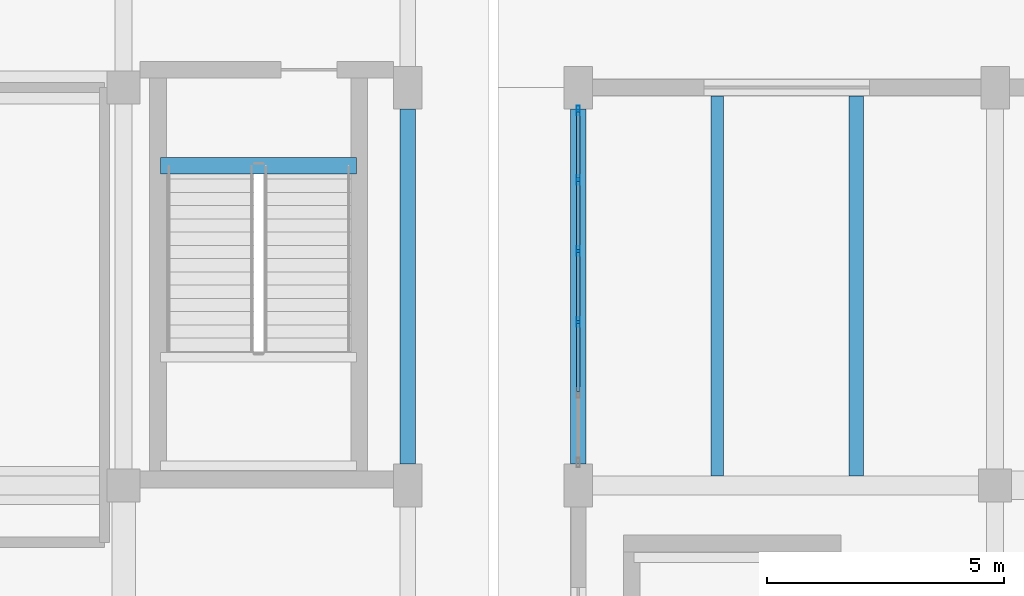
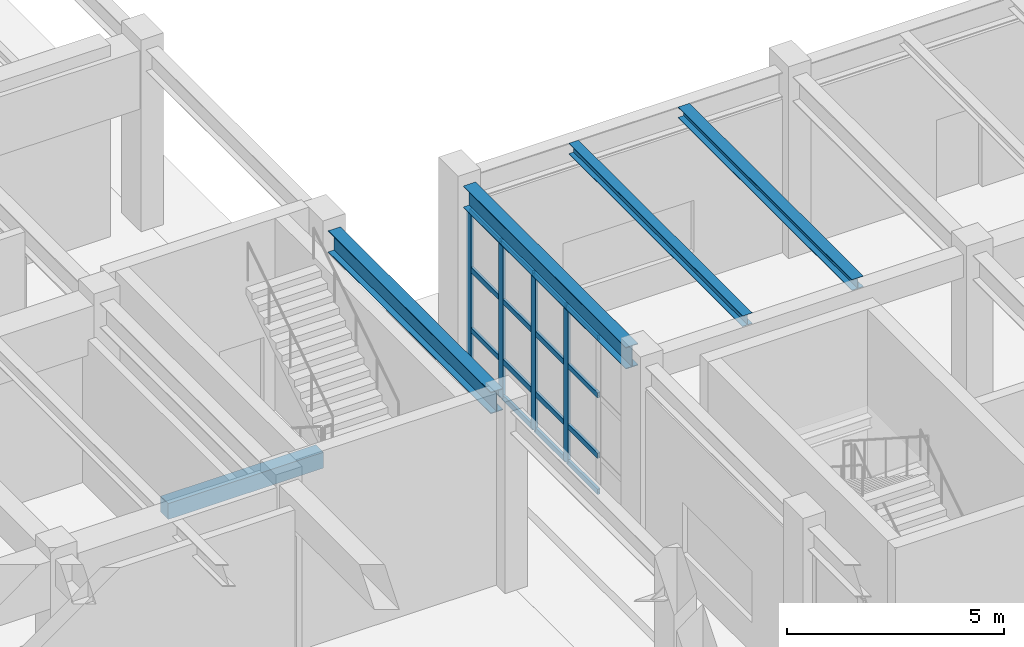
# One storey, part 48 of 91: 20 members, 5 beams, 1 element without a shape of its own.
"""IFC4 building model written with IfcOpenShell, lengths in metres."""

from ifc_helpers import new_model, si_unit, direction, frame, origin, origin_2d, place, context, subcontext, project, spatial, rectangle, hollow_rectangle, i_section, extrude, material, layer, layer_set, material_profile, profile_set, type_object, element, aggregate, save


model = new_model("IFC4")

# Units and contexts
model_context = context("Model", 3, precision=1e-05, world=origin(), true_north=direction((0.0, 1.0)))
body_context = subcontext(model_context, "Body", "Model", "MODEL_VIEW")
ifc_project = project(units=[si_unit("LENGTHUNIT", "METRE"), si_unit("AREAUNIT", "SQUARE_METRE"), si_unit("VOLUMEUNIT", "CUBIC_METRE"), si_unit("PLANEANGLEUNIT", "RADIAN"), si_unit("MASSUNIT", "GRAM", prefix="KILO")], contexts=[model_context])

# Site, building, storey
site_placement = place(None, origin())
site = spatial("IfcSite", under=ifc_project, at=site_placement, CompositionType="ELEMENT")
building_placement = place(site_placement, origin())
building = spatial("IfcBuilding", under=site, at=building_placement, Name="Vaelkrest Opera House", CompositionType="ELEMENT")
storey_placement = place(building_placement, origin())
storey = spatial("IfcBuildingStorey", under=building, at=storey_placement, Name="L00", CompositionType="ELEMENT", Elevation=0.0)

# Curtain wall, members
ifc_material_1 = material(Name="Dark bronze anodized aluminium", Category="aluminium")
ifc_layer = layer(ifc_material_1, 0.18994140625)
ifc_layer_set = layer_set([ifc_layer], Name="Dark bronze anodized aluminium")
curtain_wall_type = type_object("IfcCurtainWallType", Name="CW02", PredefinedType="NOTDEFINED", material=ifc_layer_set)
curtain_wall_placement = place(storey_placement, origin())
curtain_wall = element("IfcCurtainWall", 1, at=curtain_wall_placement, inside=storey, type_object=curtain_wall_type, Name="Curtain wall CW-L00-151", PredefinedType="NOTDEFINED")
ifc_material_profile_1 = material_profile(ifc_material_1, hollow_rectangle(XDim=0.070068359375, YDim=0.199951171875, WallThickness=0.004150390625, at=origin_2d()), Name="CWM70X200")
ifc_profile_set_1 = profile_set([ifc_material_profile_1], Name="Dark bronze anodized aluminium")
member_type_1 = type_object("IfcMemberType", Name="CWM02", PredefinedType="MULLION", material=ifc_profile_set_1)
member_1_placement = place(storey_placement, frame((33.60009765625, 28.649658203125, 0.0), z_axis=(0.0, 0.0, 1.0), x_axis=(-1.0, 0.0, 0.0)))
member_1 = element("IfcMember", 2, at=member_1_placement, type_object=member_type_1, Name="CW02 mullion 3", PredefinedType="MULLION", context=body_context, shape_type="SweptSolid", body=[
    extrude(hollow_rectangle(XDim=0.070068359375, YDim=0.199951171875, WallThickness=0.004150390625, at=origin_2d()), origin(), (0.0, 0.0, 1.0), 4.404052734375),
])
member_2_placement = place(storey_placement, frame((33.60009765625, 30.150390625, 0.0), z_axis=(0.0, 0.0, 1.0), x_axis=(-1.0, 0.0, 0.0)))
member_2 = element("IfcMember", 3, at=member_2_placement, type_object=member_type_1, Name="CW02 mullion 4", PredefinedType="MULLION", context=body_context, shape_type="SweptSolid", body=[
    extrude(hollow_rectangle(XDim=0.070068359375, YDim=0.199951171875, WallThickness=0.004150390625, at=origin_2d()), origin(), (0.0, 0.0, 1.0), 4.404052734375),
])
member_3_placement = place(storey_placement, frame((33.60009765625, 31.651123046875, 0.0), z_axis=(0.0, 0.0, 1.0), x_axis=(-1.0, 0.0, 0.0)))
member_3 = element("IfcMember", 4, at=member_3_placement, type_object=member_type_1, Name="CW02 mullion 5", PredefinedType="MULLION", context=body_context, shape_type="SweptSolid", body=[
    extrude(hollow_rectangle(XDim=0.070068359375, YDim=0.199951171875, WallThickness=0.004150390625, at=origin_2d()), origin(), (0.0, 0.0, 1.0), 4.404052734375),
])
member_4_placement = place(storey_placement, frame((33.60009765625, 33.116943359375, 0.0), z_axis=(0.0, 0.0, 1.0), x_axis=(-1.0, 0.0, 0.0)))
member_4 = element("IfcMember", 5, at=member_4_placement, type_object=member_type_1, Name="CW02 mullion 6", PredefinedType="MULLION", context=body_context, shape_type="SweptSolid", body=[
    extrude(hollow_rectangle(XDim=0.070068359375, YDim=0.199951171875, WallThickness=0.004150390625, at=origin_2d()), origin(), (0.0, 0.0, 1.0), 4.404052734375),
])
ifc_material_profile_2 = material_profile(ifc_material_1, hollow_rectangle(XDim=0.070068359375, YDim=0.14990234375, WallThickness=0.004150390625, at=origin_2d()), Name="CWT70X150")
ifc_profile_set_2 = profile_set([ifc_material_profile_2], Name="Dark bronze anodized aluminium")
member_type_2 = type_object("IfcMemberType", Name="CWT02", PredefinedType="USERDEFINED", material=ifc_profile_set_2)
member_5_placement = place(storey_placement, frame((33.60009765625, 27.183837890625, 0.034912109375), z_axis=(0.0, 1.0, 0.0), x_axis=(-1.0, 0.0, 0.0)))
member_5 = element("IfcMember", 6, at=member_5_placement, type_object=member_type_2, Name="CW02 transom 2.1", ObjectType="TRANSOM", PredefinedType="USERDEFINED", context=body_context, shape_type="SweptSolid", body=[
    extrude(hollow_rectangle(XDim=0.070068359375, YDim=0.14990234375, WallThickness=0.004150390625, at=origin_2d()), origin(), (0.0, 0.0, 1.0), 1.4306640625),
])
member_6_placement = place(storey_placement, frame((33.60009765625, 27.183837890625, 1.050048828125), z_axis=(0.0, 1.0, 0.0), x_axis=(-1.0, 0.0, 0.0)))
member_6 = element("IfcMember", 7, at=member_6_placement, type_object=member_type_2, Name="CW02 transom 2.2", ObjectType="TRANSOM", PredefinedType="USERDEFINED", context=body_context, shape_type="SweptSolid", body=[
    extrude(hollow_rectangle(XDim=0.070068359375, YDim=0.14990234375, WallThickness=0.004150390625, at=origin_2d()), origin(), (0.0, 0.0, 1.0), 1.4306640625),
])
member_7_placement = place(storey_placement, frame((33.60009765625, 27.183837890625, 2.75), z_axis=(0.0, 1.0, 0.0), x_axis=(-1.0, 0.0, 0.0)))
member_7 = element("IfcMember", 8, at=member_7_placement, type_object=member_type_2, Name="CW02 transom 2.3", ObjectType="TRANSOM", PredefinedType="USERDEFINED", context=body_context, shape_type="SweptSolid", body=[
    extrude(hollow_rectangle(XDim=0.070068359375, YDim=0.14990234375, WallThickness=0.004150390625, at=origin_2d()), origin(), (0.0, 0.0, 1.0), 1.4306640625),
])
member_8_placement = place(storey_placement, frame((33.60009765625, 27.183837890625, 4.368896484375), z_axis=(0.0, 1.0, 0.0), x_axis=(-1.0, 0.0, 0.0)))
member_8 = element("IfcMember", 9, at=member_8_placement, type_object=member_type_2, Name="CW02 transom 2.4", ObjectType="TRANSOM", PredefinedType="USERDEFINED", context=body_context, shape_type="SweptSolid", body=[
    extrude(hollow_rectangle(XDim=0.070068359375, YDim=0.14990234375, WallThickness=0.004150390625, at=origin_2d()), origin(), (0.0, 0.0, 1.0), 1.4306640625),
])
member_9_placement = place(storey_placement, frame((33.60009765625, 28.6845703125, 0.034912109375), z_axis=(0.0, 1.0, 0.0), x_axis=(-1.0, 0.0, 0.0)))
member_9 = element("IfcMember", 10, at=member_9_placement, type_object=member_type_2, Name="CW02 transom 3.1", ObjectType="TRANSOM", PredefinedType="USERDEFINED", context=body_context, shape_type="SweptSolid", body=[
    extrude(hollow_rectangle(XDim=0.070068359375, YDim=0.14990234375, WallThickness=0.004150390625, at=origin_2d()), origin(), (0.0, 0.0, 1.0), 1.430908203125),
])
member_10_placement = place(storey_placement, frame((33.60009765625, 28.6845703125, 1.050048828125), z_axis=(0.0, 1.0, 0.0), x_axis=(-1.0, 0.0, 0.0)))
member_10 = element("IfcMember", 11, at=member_10_placement, type_object=member_type_2, Name="CW02 transom 3.2", ObjectType="TRANSOM", PredefinedType="USERDEFINED", context=body_context, shape_type="SweptSolid", body=[
    extrude(hollow_rectangle(XDim=0.070068359375, YDim=0.14990234375, WallThickness=0.004150390625, at=origin_2d()), origin(), (0.0, 0.0, 1.0), 1.430908203125),
])
member_11_placement = place(storey_placement, frame((33.60009765625, 28.6845703125, 2.75), z_axis=(0.0, 1.0, 0.0), x_axis=(-1.0, 0.0, 0.0)))
member_11 = element("IfcMember", 12, at=member_11_placement, type_object=member_type_2, Name="CW02 transom 3.3", ObjectType="TRANSOM", PredefinedType="USERDEFINED", context=body_context, shape_type="SweptSolid", body=[
    extrude(hollow_rectangle(XDim=0.070068359375, YDim=0.14990234375, WallThickness=0.004150390625, at=origin_2d()), origin(), (0.0, 0.0, 1.0), 1.430908203125),
])
member_12_placement = place(storey_placement, frame((33.60009765625, 28.6845703125, 4.368896484375), z_axis=(0.0, 1.0, 0.0), x_axis=(-1.0, 0.0, 0.0)))
member_12 = element("IfcMember", 13, at=member_12_placement, type_object=member_type_2, Name="CW02 transom 3.4", ObjectType="TRANSOM", PredefinedType="USERDEFINED", context=body_context, shape_type="SweptSolid", body=[
    extrude(hollow_rectangle(XDim=0.070068359375, YDim=0.14990234375, WallThickness=0.004150390625, at=origin_2d()), origin(), (0.0, 0.0, 1.0), 1.430908203125),
])
member_13_placement = place(storey_placement, frame((33.60009765625, 30.185302734375, 0.034912109375), z_axis=(0.0, 1.0, 0.0), x_axis=(-1.0, 0.0, 0.0)))
member_13 = element("IfcMember", 14, at=member_13_placement, type_object=member_type_2, Name="CW02 transom 4.1", ObjectType="TRANSOM", PredefinedType="USERDEFINED", context=body_context, shape_type="SweptSolid", body=[
    extrude(hollow_rectangle(XDim=0.070068359375, YDim=0.14990234375, WallThickness=0.004150390625, at=origin_2d()), origin(), (0.0, 0.0, 1.0), 1.430908203125),
])
member_14_placement = place(storey_placement, frame((33.60009765625, 30.185302734375, 1.050048828125), z_axis=(0.0, 1.0, 0.0), x_axis=(-1.0, 0.0, 0.0)))
member_14 = element("IfcMember", 15, at=member_14_placement, type_object=member_type_2, Name="CW02 transom 4.2", ObjectType="TRANSOM", PredefinedType="USERDEFINED", context=body_context, shape_type="SweptSolid", body=[
    extrude(hollow_rectangle(XDim=0.070068359375, YDim=0.14990234375, WallThickness=0.004150390625, at=origin_2d()), origin(), (0.0, 0.0, 1.0), 1.430908203125),
])
member_15_placement = place(storey_placement, frame((33.60009765625, 30.185302734375, 2.75), z_axis=(0.0, 1.0, 0.0), x_axis=(-1.0, 0.0, 0.0)))
member_15 = element("IfcMember", 16, at=member_15_placement, type_object=member_type_2, Name="CW02 transom 4.3", ObjectType="TRANSOM", PredefinedType="USERDEFINED", context=body_context, shape_type="SweptSolid", body=[
    extrude(hollow_rectangle(XDim=0.070068359375, YDim=0.14990234375, WallThickness=0.004150390625, at=origin_2d()), origin(), (0.0, 0.0, 1.0), 1.430908203125),
])
member_16_placement = place(storey_placement, frame((33.60009765625, 30.185302734375, 4.368896484375), z_axis=(0.0, 1.0, 0.0), x_axis=(-1.0, 0.0, 0.0)))
member_16 = element("IfcMember", 17, at=member_16_placement, type_object=member_type_2, Name="CW02 transom 4.4", ObjectType="TRANSOM", PredefinedType="USERDEFINED", context=body_context, shape_type="SweptSolid", body=[
    extrude(hollow_rectangle(XDim=0.070068359375, YDim=0.14990234375, WallThickness=0.004150390625, at=origin_2d()), origin(), (0.0, 0.0, 1.0), 1.430908203125),
])
member_17_placement = place(storey_placement, frame((33.60009765625, 31.686279296875, 0.034912109375), z_axis=(0.0, 1.0, 0.0), x_axis=(-1.0, 0.0, 0.0)))
member_17 = element("IfcMember", 18, at=member_17_placement, type_object=member_type_2, Name="CW02 transom 5.1", ObjectType="TRANSOM", PredefinedType="USERDEFINED", context=body_context, shape_type="SweptSolid", body=[
    extrude(hollow_rectangle(XDim=0.070068359375, YDim=0.14990234375, WallThickness=0.004150390625, at=origin_2d()), origin(), (0.0, 0.0, 1.0), 1.395751953125),
])
member_18_placement = place(storey_placement, frame((33.60009765625, 31.686279296875, 1.050048828125), z_axis=(0.0, 1.0, 0.0), x_axis=(-1.0, 0.0, 0.0)))
member_18 = element("IfcMember", 19, at=member_18_placement, type_object=member_type_2, Name="CW02 transom 5.2", ObjectType="TRANSOM", PredefinedType="USERDEFINED", context=body_context, shape_type="SweptSolid", body=[
    extrude(hollow_rectangle(XDim=0.070068359375, YDim=0.14990234375, WallThickness=0.004150390625, at=origin_2d()), origin(), (0.0, 0.0, 1.0), 1.395751953125),
])
member_19_placement = place(storey_placement, frame((33.60009765625, 31.686279296875, 2.75), z_axis=(0.0, 1.0, 0.0), x_axis=(-1.0, 0.0, 0.0)))
member_19 = element("IfcMember", 20, at=member_19_placement, type_object=member_type_2, Name="CW02 transom 5.3", ObjectType="TRANSOM", PredefinedType="USERDEFINED", context=body_context, shape_type="SweptSolid", body=[
    extrude(hollow_rectangle(XDim=0.070068359375, YDim=0.14990234375, WallThickness=0.004150390625, at=origin_2d()), origin(), (0.0, 0.0, 1.0), 1.395751953125),
])
member_20_placement = place(storey_placement, frame((33.60009765625, 31.686279296875, 4.368896484375), z_axis=(0.0, 1.0, 0.0), x_axis=(-1.0, 0.0, 0.0)))
member_20 = element("IfcMember", 21, at=member_20_placement, type_object=member_type_2, Name="CW02 transom 5.4", ObjectType="TRANSOM", PredefinedType="USERDEFINED", context=body_context, shape_type="SweptSolid", body=[
    extrude(hollow_rectangle(XDim=0.070068359375, YDim=0.14990234375, WallThickness=0.004150390625, at=origin_2d()), origin(), (0.0, 0.0, 1.0), 1.395751953125),
])
aggregate(curtain_wall, [member_1, member_2, member_3, member_4, member_5, member_6, member_7, member_8, member_9, member_10, member_11, member_12, member_13, member_14, member_15, member_16, member_17, member_18, member_19, member_20])

# Beams
ifc_material_2 = material(Name="Steel A992 Gr50", Category="steel")
ifc_material_profile_3 = material_profile(ifc_material_2, i_section(OverallWidth=0.25390625, OverallDepth=0.305908203125, WebThickness=0.0087890625, FlangeThickness=0.0146484375, at=origin_2d()), Name="W12X53")
ifc_profile_set_3 = profile_set([ifc_material_profile_3], Name="Steel A992 Gr50")
beam_type_1 = type_object("IfcBeamType", Name="J03", PredefinedType="JOIST", material=ifc_profile_set_3)
beam_1_placement = place(storey_placement, frame((36.532958984375, 25.39990234375, 4.927001953125), z_axis=(0.0, 1.0, 0.0), x_axis=(-1.0, 0.0, 0.0)))
element("IfcBeam", 22, at=beam_1_placement, inside=storey, type_object=beam_type_1, Name="Floor joist JST-V4-L00-2053", PredefinedType="JOIST", context=body_context, shape_type="SweptSolid", body=[
    extrude(i_section(OverallWidth=0.25390625, OverallDepth=0.305908203125, WebThickness=0.0087890625, FlangeThickness=0.0146484375, at=origin_2d()), origin(), (0.0, 0.0, 1.0), 8.022705078125),
])
ifc_material_profile_4 = material_profile(ifc_material_2, i_section(OverallWidth=0.304931640625, OverallDepth=0.30810546875, WebThickness=0.010009765625, FlangeThickness=0.015380859375, at=origin_2d()), Name="W12X65")
ifc_profile_set_4 = profile_set([ifc_material_profile_4], Name="Steel A992 Gr50")
beam_type_2 = type_object("IfcBeamType", Name="J04", PredefinedType="JOIST", material=ifc_profile_set_4)
beam_2_placement = place(storey_placement, frame((39.467041015625, 25.39990234375, 4.926025390625), z_axis=(0.0, 1.0, 0.0), x_axis=(-1.0, 0.0, 0.0)))
element("IfcBeam", 23, at=beam_2_placement, inside=storey, type_object=beam_type_2, Name="Floor joist JST-V4-L00-2054", PredefinedType="JOIST", context=body_context, shape_type="SweptSolid", body=[
    extrude(i_section(OverallWidth=0.304931640625, OverallDepth=0.30810546875, WebThickness=0.010009765625, FlangeThickness=0.015380859375, at=origin_2d()), origin(), (0.0, 0.0, 1.0), 8.022705078125),
])
ifc_material_3 = material(Name="Concrete C50/60", Category="concrete")
ifc_material_profile_5 = material_profile(ifc_material_3, rectangle(XDim=0.35009765625, YDim=0.449951171875, at=origin_2d()), Name="RCB350X450")
ifc_profile_set_5 = profile_set([ifc_material_profile_5], Name="Concrete C50/60")
beam_type_3 = type_object("IfcBeamType", Name="LN01", PredefinedType="LINTEL", material=ifc_profile_set_5)
beam_3_placement = place(storey_placement, frame((24.780029296875, 31.949951171875, -0.22509765625), z_axis=(1.0, 0.0, 0.0), x_axis=(0.0, 1.0, 0.0)))
element("IfcBeam", 24, at=beam_3_placement, inside=storey, type_object=beam_type_3, Name="Stairwell trimmer beam ST06 L00", PredefinedType="LINTEL", context=body_context, shape_type="SweptSolid", body=[
    extrude(rectangle(XDim=0.35009765625, YDim=0.449951171875, at=origin_2d()), origin(), (0.0, 0.0, 1.0), 4.139892578125),
])
ifc_material_profile_6 = material_profile(ifc_material_2, i_section(OverallWidth=0.323974609375, OverallDepth=0.611083984375, WebThickness=0.0126953125, FlangeThickness=0.01904296875, at=origin_2d()), Name="W24X104")
ifc_profile_set_6 = profile_set([ifc_material_profile_6], Name="Steel A992 Gr50")
beam_type_4 = type_object("IfcBeamType", Name="SP01", PredefinedType="SPANDREL", material=ifc_profile_set_6)
for number, where, z_axis, x_axis, name in (
    (25, (30.0, 25.64990234375, 4.7744140625), (0.0, 1.0, 0.0), (-1.0, 0.0, 0.0), "Beam BM-V2-L00-0838"),
    (26, (33.60009765625, 25.64990234375, 4.7744140625), (0.0, 1.0, 0.0), (-1.0, 0.0, 0.0), "Beam BM-V4-L00-2000"),
):
    element("IfcBeam", number, at=place(storey_placement, frame(where, z_axis=z_axis, x_axis=x_axis)), inside=storey, type_object=beam_type_4, Name=name, PredefinedType="SPANDREL", context=body_context, shape_type="SweptSolid", body=[
        extrude(i_section(OverallWidth=0.323974609375, OverallDepth=0.611083984375, WebThickness=0.0126953125, FlangeThickness=0.01904296875, at=origin_2d()), origin(), (0.0, 0.0, 1.0), 7.5),
    ])

save(model, "model.ifc")
